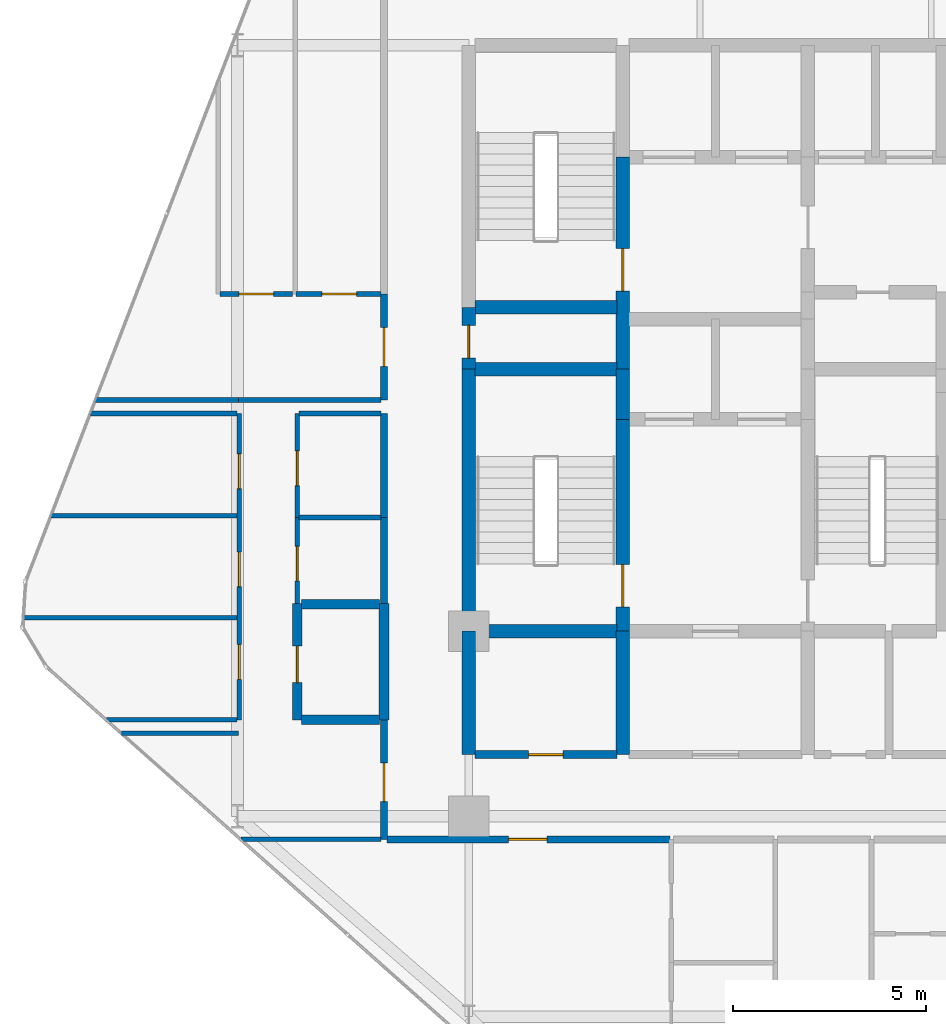
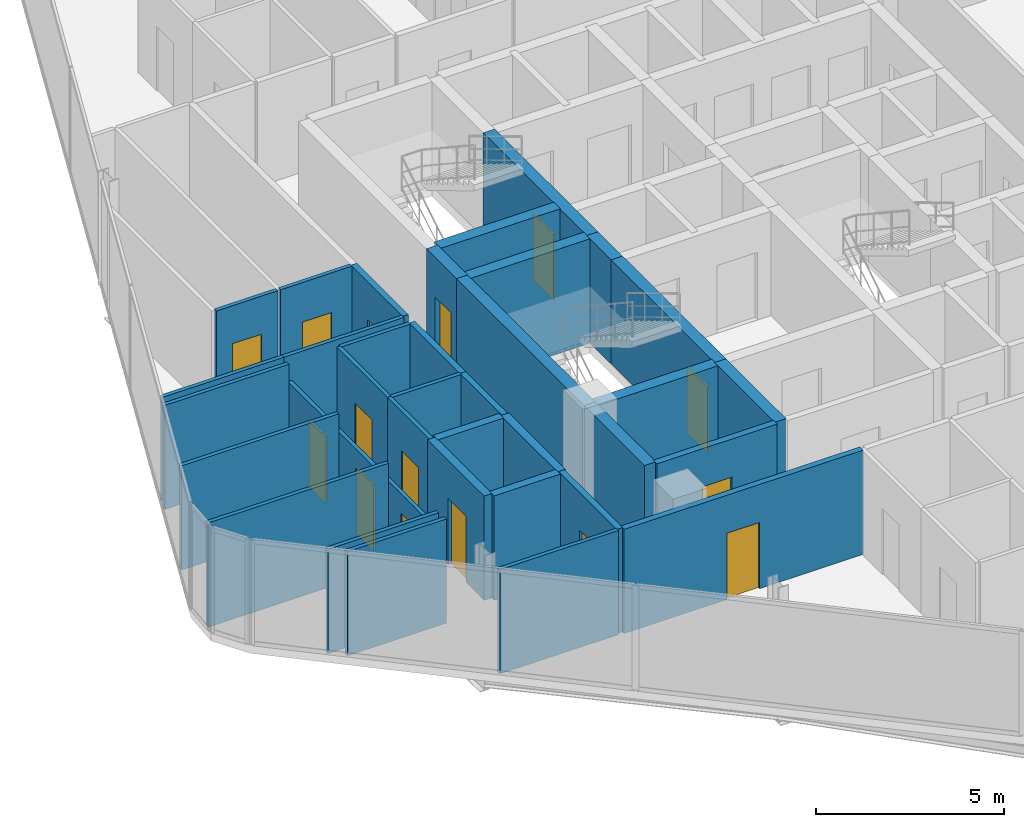
# One storey, part 23 of 29: 35 walls, 15 doors, 15 openings.
"""IFC4 building model written with IfcOpenShell, lengths in metres."""

from ifc_helpers import new_model, si_unit, direction, frame, frame_2d, origin, place, context, subcontext, project, spatial, rectangle, extrude, material, layer, layer_set, type_object, element, fill, save


model = new_model("IFC4")

# Units and contexts
model_context = context("Model", 3, precision=1e-05, world=origin(), true_north=direction((0.0, 1.0)))
body_context = subcontext(model_context, "Body", "Model", "MODEL_VIEW")
ifc_project = project(units=[si_unit("LENGTHUNIT", "METRE"), si_unit("AREAUNIT", "SQUARE_METRE"), si_unit("VOLUMEUNIT", "CUBIC_METRE"), si_unit("PLANEANGLEUNIT", "RADIAN"), si_unit("MASSUNIT", "GRAM", prefix="KILO")], contexts=[model_context])

# Site, building, storey
site_placement = place(None, origin())
site = spatial("IfcSite", under=ifc_project, at=site_placement, CompositionType="ELEMENT")
building_placement = place(site_placement, origin())
building = spatial("IfcBuilding", under=site, at=building_placement, Name="Keshet Zoharim Tower", CompositionType="ELEMENT")
storey_placement = place(building_placement, frame((0.0, 0.0, 98.300048828125)))
storey = spatial("IfcBuildingStorey", under=building, at=storey_placement, Name="L23", CompositionType="ELEMENT", Elevation=98.300048828125)

# Walls
ifc_material_1 = material(Name="Concrete C60/75", Category="concrete")
ifc_layer_1 = layer(ifc_material_1, 0.35009765625)
ifc_layer_set_1 = layer_set([ifc_layer_1], Name="Concrete C60/75")
wall_type_1 = type_object("IfcWallType", Name="WL-CORE-350", PredefinedType="SHEAR", material=ifc_layer_set_1)
wall_1_placement = place(storey_placement, frame((15.0, 19.5, 0.0), z_axis=(0.0, 0.0, 1.0), x_axis=(0.0, 1.0, 0.0)))
element("IfcWall", 1, at=wall_1_placement, inside=storey, type_object=wall_type_1, Name="L23 Core Shear Wall 015", PredefinedType="SHEAR", context=body_context, shape_type="SweptSolid", body=[
    extrude(rectangle(XDim=3.199951171875, YDim=0.35009765625, at=frame_2d((1.60009765625, 0.0))), origin(), (0.0, 0.0, 1.0), 3.385009765625),
])
wall_2_placement = place(storey_placement, frame((15.0, 22.699951171875, 0.0), z_axis=(0.0, 0.0, 1.0), x_axis=(0.0, 1.0, 0.0)))
element("IfcWall", 2, at=wall_2_placement, inside=storey, type_object=wall_type_1, Name="L23 Core Shear Wall 016", PredefinedType="SHEAR", context=body_context, shape_type="SweptSolid", body=[
    extrude(rectangle(XDim=6.800048828125, YDim=0.35009765625, at=frame_2d((3.39990234375, 0.0))), origin(), (0.0, 0.0, 1.0), 3.385009765625),
])

# Wall, opening, door
wall_3_placement = place(storey_placement, frame((15.0, 29.5, 0.0), z_axis=(0.0, 0.0, 1.0), x_axis=(0.0, 1.0, 0.0)))
wall_3 = element("IfcWall", 3, at=wall_3_placement, inside=storey, type_object=wall_type_1, Name="L23 Core Shear Wall 017", PredefinedType="SHEAR", context=body_context, shape_type="SweptSolid", body=[
    extrude(rectangle(XDim=1.60009765625, YDim=0.35009765625, at=frame_2d((0.800048828125, 0.0))), origin(), (0.0, 0.0, 1.0), 3.385009765625),
])
opening_1_placement = place(wall_3_placement, frame((0.287109375, 0.0, 0.0)))
opening_1 = element("IfcOpeningElement", 4, at=opening_1_placement, cuts=wall_3, Name="Opening D-RS85", PredefinedType="OPENING", context=body_context, shape_type="SweptSolid", body=[
    extrude(rectangle(XDim=0.85009765625, YDim=2.10009765625, at=frame_2d((0.425048828125, 1.050048828125))), frame((0.0, 0.18505859375, 0.0), z_axis=(0.0, -1.0, 0.0), x_axis=(1.0, 0.0, 0.0)), (0.0, 0.0, 1.0), 0.3701171875),
])
ifc_material_2 = material(Name="Hardwood Timber", Category="wood")
door_type_1 = type_object("IfcDoorType", Name="DR-RIS-085", OperationType="NOTDEFINED", PredefinedType="DOOR", material=ifc_material_2)
door_1_placement = place(opening_1_placement, origin())
door_1 = element("IfcDoor", 5, at=door_1_placement, inside=storey, type_object=door_type_1, Name="L23 Electrical Riser Access Cupboard Door", OperationType="SINGLE_SWING_LEFT", OverallHeight=2.10009765625, OverallWidth=0.85009765625, PredefinedType="DOOR", context=body_context, shape_type="SweptSolid", body=[
    extrude(rectangle(XDim=0.85009765625, YDim=2.10009765625, at=frame_2d((0.425048828125, 1.050048828125))), frame((0.0, 0.02490234375, 0.0), z_axis=(0.0, -1.0, 0.0), x_axis=(1.0, 0.0, 0.0)), (0.0, 0.0, 1.0), 0.050048828125),
])
fill(opening_1, door_1)

# Wall
wall_4_placement = place(storey_placement, frame((19.0, 19.5, 0.0), z_axis=(0.0, 0.0, 1.0), x_axis=(0.0, 1.0, 0.0)))
element("IfcWall", 6, at=wall_4_placement, inside=storey, type_object=wall_type_1, Name="L23 Core Shear Wall 021", PredefinedType="SHEAR", context=body_context, shape_type="SweptSolid", body=[
    extrude(rectangle(XDim=3.199951171875, YDim=0.35009765625, at=frame_2d((1.60009765625, 0.0))), origin(), (0.0, 0.0, 1.0), 3.385009765625),
])

# Wall, opening, door
wall_5_placement = place(storey_placement, frame((19.0, 22.699951171875, 0.0), z_axis=(0.0, 0.0, 1.0), x_axis=(0.0, 1.0, 0.0)))
wall_5 = element("IfcWall", 7, at=wall_5_placement, inside=storey, type_object=wall_type_1, Name="L23 Core Shear Wall 022", PredefinedType="SHEAR", context=body_context, shape_type="SweptSolid", body=[
    extrude(rectangle(XDim=5.5, YDim=0.35009765625, at=frame_2d((2.75, 0.0))), origin(), (0.0, 0.0, 1.0), 3.385009765625),
])
opening_2_placement = place(wall_5_placement, frame((0.631103515625, 0.0, 0.0)))
opening_2 = element("IfcOpeningElement", 8, at=opening_2_placement, cuts=wall_5, Name="Opening D-F611", PredefinedType="OPENING", context=body_context, shape_type="SweptSolid", body=[
    extrude(rectangle(XDim=1.10009765625, YDim=2.14990234375, at=frame_2d((0.550048828125, 1.074951171875))), frame((0.0, 0.18505859375, 0.0), z_axis=(0.0, -1.0, 0.0), x_axis=(1.0, 0.0, 0.0)), (0.0, 0.0, 1.0), 0.3701171875),
])
door_type_2 = type_object("IfcDoorType", Name="DR-FD60-110", OperationType="NOTDEFINED", PredefinedType="DOOR", material=ifc_material_2)
door_2_placement = place(opening_2_placement, origin())
door_2 = element("IfcDoor", 9, at=door_2_placement, inside=storey, type_object=door_type_2, Name="L23 Exit Stair ST-01 Fire Door", OperationType="SINGLE_SWING_RIGHT", OverallHeight=2.14990234375, OverallWidth=1.10009765625, PredefinedType="DOOR", context=body_context, shape_type="SweptSolid", body=[
    extrude(rectangle(XDim=1.10009765625, YDim=2.14990234375, at=frame_2d((0.550048828125, 1.074951171875))), frame((0.0, 0.02490234375, 0.0), z_axis=(0.0, -1.0, 0.0), x_axis=(1.0, 0.0, 0.0)), (0.0, 0.0, 1.0), 0.050048828125),
])
fill(opening_2, door_2)

# Wall
wall_6_placement = place(storey_placement, frame((19.0, 28.199951171875, 0.0), z_axis=(0.0, 0.0, 1.0), x_axis=(0.0, 1.0, 0.0)))
element("IfcWall", 10, at=wall_6_placement, inside=storey, type_object=wall_type_1, Name="L23 Core Shear Wall 023", PredefinedType="SHEAR", context=body_context, shape_type="SweptSolid", body=[
    extrude(rectangle(XDim=1.300048828125, YDim=0.35009765625, at=frame_2d((0.64990234375, 0.0))), origin(), (0.0, 0.0, 1.0), 3.385009765625),
])

# Wall, opening, door
wall_7_placement = place(storey_placement, frame((19.0, 29.5, 0.0), z_axis=(0.0, 0.0, 1.0), x_axis=(0.0, 1.0, 0.0)))
wall_7 = element("IfcWall", 11, at=wall_7_placement, inside=storey, type_object=wall_type_1, Name="L23 Core Shear Wall 024", PredefinedType="SHEAR", context=body_context, shape_type="SweptSolid", body=[
    extrude(rectangle(XDim=5.5, YDim=0.35009765625, at=frame_2d((2.75, 0.0))), origin(), (0.0, 0.0, 1.0), 3.385009765625),
])
opening_3_placement = place(wall_7_placement, frame((2.02490234375, 0.0, 0.0)))
opening_3 = element("IfcOpeningElement", 12, at=opening_3_placement, cuts=wall_7, Name="Opening D-F611", PredefinedType="OPENING", context=body_context, shape_type="SweptSolid", body=[
    extrude(rectangle(XDim=1.10009765625, YDim=2.14990234375, at=frame_2d((0.550048828125, 1.074951171875))), frame((0.0, 0.18505859375, 0.0), z_axis=(0.0, -1.0, 0.0), x_axis=(1.0, 0.0, 0.0)), (0.0, 0.0, 1.0), 0.3701171875),
])
door_3_placement = place(opening_3_placement, origin())
door_3 = element("IfcDoor", 13, at=door_3_placement, inside=storey, type_object=door_type_2, Name="L23 Exit Stair ST-02 Fire Door", OperationType="SINGLE_SWING_LEFT", OverallHeight=2.14990234375, OverallWidth=1.10009765625, PredefinedType="DOOR", context=body_context, shape_type="SweptSolid", body=[
    extrude(rectangle(XDim=1.10009765625, YDim=2.14990234375, at=frame_2d((0.550048828125, 1.074951171875))), frame((0.0, 0.02490234375, 0.0), z_axis=(0.0, -1.0, 0.0), x_axis=(1.0, 0.0, 0.0)), (0.0, 0.0, 1.0), 0.050048828125),
])
fill(opening_3, door_3)

# Walls
for number, where, z_axis, x_axis, name in (
    (14, (15.159912109375, 22.699951171875, 0.0), (0.0, 0.0, 1.0), (1.0, 0.0, 0.0), "L23 Core Shear Wall 150"),
    (15, (15.159912109375, 29.5, 0.0), (0.0, 0.0, 1.0), (1.0, 0.0, 0.0), "L23 Core Shear Wall 168"),
    (16, (15.159912109375, 31.10009765625, 0.0), (0.0, 0.0, 1.0), (1.0, 0.0, 0.0), "L23 Core Shear Wall 171"),
):
    element("IfcWall", number, at=place(storey_placement, frame(where, z_axis=z_axis, x_axis=x_axis)), inside=storey, type_object=wall_type_1, Name=name, PredefinedType="SHEAR", context=body_context, shape_type="SweptSolid", body=[
        extrude(rectangle(XDim=3.68017578125, YDim=0.35009765625, at=frame_2d((1.840087890625, 0.0))), origin(), (0.0, 0.0, 1.0), 3.385009765625),
    ])

# Wall, opening, door
ifc_material_3 = material(Name="Gypsum Plasterboard", Category="gypsum")
ifc_layer_2 = layer(ifc_material_3, 0.179931640625)
ifc_layer_set_2 = layer_set([ifc_layer_2], Name="Gypsum Plasterboard")
wall_type_2 = type_object("IfcWallType", Name="WL-CORR-180", PredefinedType="STANDARD", material=ifc_layer_set_2)
wall_8_placement = place(storey_placement, frame((12.800048828125, 17.300048828125, 0.0), z_axis=(0.0, 0.0, 1.0), x_axis=(0.0, 1.0, 0.0)))
wall_8 = element("IfcWall", 17, at=wall_8_placement, inside=storey, type_object=wall_type_2, Name="L23 Interior Wall 007", PredefinedType="STANDARD", context=body_context, shape_type="SweptSolid", body=[
    extrude(rectangle(XDim=3.099853515625, YDim=0.179931640625, at=frame_2d((1.5498046875, 0.0))), origin(), (0.0, 0.0, 1.0), 3.385009765625),
])
opening_4_placement = place(wall_8_placement, frame((0.97802734375, 0.0, 0.0)))
opening_4 = element("IfcOpeningElement", 18, at=opening_4_placement, cuts=wall_8, Name="Opening D-F310", PredefinedType="OPENING", context=body_context, shape_type="SweptSolid", body=[
    extrude(rectangle(XDim=1.0, YDim=2.14990234375, at=frame_2d((0.5, 1.074951171875))), frame((0.0, 0.10009765625, 0.0), z_axis=(0.0, -1.0, 0.0), x_axis=(1.0, 0.0, 0.0)), (0.0, 0.0, 1.0), 0.199951171875),
])
door_type_3 = type_object("IfcDoorType", Name="DR-FD30-100", OperationType="NOTDEFINED", PredefinedType="DOOR", material=ifc_material_2)
door_4_placement = place(opening_4_placement, origin())
door_4 = element("IfcDoor", 19, at=door_4_placement, inside=storey, type_object=door_type_3, Name="Apartment 2308 Entrance Door", OperationType="SINGLE_SWING_LEFT", OverallHeight=2.14990234375, OverallWidth=1.0, PredefinedType="DOOR", context=body_context, shape_type="SweptSolid", body=[
    extrude(rectangle(XDim=1.0, YDim=2.14990234375, at=frame_2d((0.5, 1.074951171875))), frame((0.0, 0.02490234375, 0.0), z_axis=(0.0, -1.0, 0.0), x_axis=(1.0, 0.0, 0.0)), (0.0, 0.0, 1.0), 0.050048828125),
])
fill(opening_4, door_4)

# Walls
wall_9_placement = place(storey_placement, frame((12.800048828125, 23.4208984375, 0.0), z_axis=(0.0, 0.0, 1.0), x_axis=(0.0, 1.0, 0.0)))
element("IfcWall", 20, at=wall_9_placement, inside=storey, type_object=wall_type_2, Name="L23 Interior Wall 009", PredefinedType="STANDARD", context=body_context, shape_type="SweptSolid", body=[
    extrude(rectangle(XDim=2.22607421875, YDim=0.179931640625, at=frame_2d((1.113037109375, 0.0))), origin(), (0.0, 0.0, 1.0), 3.385009765625),
])
wall_10_placement = place(storey_placement, frame((12.800048828125, 25.64697265625, 0.0), z_axis=(0.0, 0.0, 1.0), x_axis=(0.0, 1.0, 0.0)))
element("IfcWall", 21, at=wall_10_placement, inside=storey, type_object=wall_type_2, Name="L23 Interior Wall 010", PredefinedType="STANDARD", context=body_context, shape_type="SweptSolid", body=[
    extrude(rectangle(XDim=2.703125, YDim=0.179931640625, at=frame_2d((1.3515625, 0.0))), origin(), (0.0, 0.0, 1.0), 3.385009765625),
])

# Wall, opening, door
wall_11_placement = place(storey_placement, frame((12.800048828125, 28.699951171875, 0.0), z_axis=(0.0, 0.0, 1.0), x_axis=(0.0, 1.0, 0.0)))
wall_11 = element("IfcWall", 22, at=wall_11_placement, inside=storey, type_object=wall_type_2, Name="L23 Interior Wall 011", PredefinedType="STANDARD", context=body_context, shape_type="SweptSolid", body=[
    extrude(rectangle(XDim=2.75, YDim=0.179931640625, at=frame_2d((1.375, 0.0))), origin(), (0.0, 0.0, 1.0), 3.385009765625),
])
opening_5_placement = place(wall_11_placement, frame((0.875, 0.0, 0.0)))
opening_5 = element("IfcOpeningElement", 23, at=opening_5_placement, cuts=wall_11, Name="Opening D-F310", PredefinedType="OPENING", context=body_context, shape_type="SweptSolid", body=[
    extrude(rectangle(XDim=1.0, YDim=2.14990234375, at=frame_2d((0.5, 1.074951171875))), frame((0.0, 0.10009765625, 0.0), z_axis=(0.0, -1.0, 0.0), x_axis=(1.0, 0.0, 0.0)), (0.0, 0.0, 1.0), 0.199951171875),
])
door_5_placement = place(opening_5_placement, origin())
door_5 = element("IfcDoor", 24, at=door_5_placement, inside=storey, type_object=door_type_3, Name="Apartment 2309 Entrance Door", OperationType="SINGLE_SWING_RIGHT", OverallHeight=2.14990234375, OverallWidth=1.0, PredefinedType="DOOR", context=body_context, shape_type="SweptSolid", body=[
    extrude(rectangle(XDim=1.0, YDim=2.14990234375, at=frame_2d((0.5, 1.074951171875))), frame((0.0, 0.02490234375, 0.0), z_axis=(0.0, -1.0, 0.0), x_axis=(1.0, 0.0, 0.0)), (0.0, 0.0, 1.0), 0.050048828125),
])
fill(opening_5, door_5)

wall_12_placement = place(storey_placement, frame((12.875, 17.300048828125, 0.0), z_axis=(0.0, 0.0, 1.0), x_axis=(1.0, 0.0, 0.0)))
wall_12 = element("IfcWall", 25, at=wall_12_placement, inside=storey, type_object=wall_type_2, Name="L23 Interior Wall 129", PredefinedType="STANDARD", context=body_context, shape_type="SweptSolid", body=[
    extrude(rectangle(XDim=7.35009765625, YDim=0.179931640625, at=frame_2d((3.675048828125, 0.0))), origin(), (0.0, 0.0, 1.0), 3.385009765625),
])
opening_6_placement = place(wall_12_placement, frame((3.159912109375, 0.0, 0.0)))
opening_6 = element("IfcOpeningElement", 26, at=opening_6_placement, cuts=wall_12, Name="Opening D-F310", PredefinedType="OPENING", context=body_context, shape_type="SweptSolid", body=[
    extrude(rectangle(XDim=1.0, YDim=2.14990234375, at=frame_2d((0.5, 1.074951171875))), frame((0.0, 0.10009765625, 0.0), z_axis=(0.0, -1.0, 0.0), x_axis=(1.0, 0.0, 0.0)), (0.0, 0.0, 1.0), 0.199951171875),
])
door_6_placement = place(opening_6_placement, origin())
door_6 = element("IfcDoor", 27, at=door_6_placement, inside=storey, type_object=door_type_3, Name="Apartment 2301 Entrance Door", OperationType="SINGLE_SWING_RIGHT", OverallHeight=2.14990234375, OverallWidth=1.0, PredefinedType="DOOR", context=body_context, shape_type="SweptSolid", body=[
    extrude(rectangle(XDim=1.0, YDim=2.14990234375, at=frame_2d((0.5, 1.074951171875))), frame((0.0, 0.02490234375, 0.0), z_axis=(0.0, -1.0, 0.0), x_axis=(1.0, 0.0, 0.0)), (0.0, 0.0, 1.0), 0.050048828125),
])
fill(opening_6, door_6)

ifc_material_4 = material(Name="Concrete C50/60", Category="concrete")
ifc_layer_3 = layer(ifc_material_4, 0.199951171875)
ifc_layer_set_3 = layer_set([ifc_layer_3], Name="Concrete C50/60")
wall_type_3 = type_object("IfcWallType", Name="WL-FIRE-200", PredefinedType="STANDARD", material=ifc_layer_set_3)
wall_13_placement = place(storey_placement, frame((15.159912109375, 19.5, 0.0), z_axis=(0.0, 0.0, 1.0), x_axis=(1.0, 0.0, 0.0)))
wall_13 = element("IfcWall", 28, at=wall_13_placement, inside=storey, type_object=wall_type_3, Name="L23 Interior Wall 142", PredefinedType="STANDARD", context=body_context, shape_type="SweptSolid", body=[
    extrude(rectangle(XDim=3.68017578125, YDim=0.199951171875, at=frame_2d((1.840087890625, 0.0))), origin(), (0.0, 0.0, 1.0), 3.385009765625),
])
opening_7_placement = place(wall_13_placement, frame((1.389892578125, 0.0, 0.0)))
opening_7 = element("IfcOpeningElement", 29, at=opening_7_placement, cuts=wall_13, Name="Opening D-F690", PredefinedType="OPENING", context=body_context, shape_type="SweptSolid", body=[
    extrude(rectangle(XDim=0.89990234375, YDim=2.14990234375, at=frame_2d((0.449951171875, 1.074951171875))), frame((0.0, 0.10986328125, 0.0), z_axis=(0.0, -1.0, 0.0), x_axis=(1.0, 0.0, 0.0)), (0.0, 0.0, 1.0), 0.219970703125),
])
door_type_4 = type_object("IfcDoorType", Name="DR-FD60-090", OperationType="NOTDEFINED", PredefinedType="DOOR", material=ifc_material_2)
door_7_placement = place(opening_7_placement, origin())
door_7 = element("IfcDoor", 30, at=door_7_placement, inside=storey, type_object=door_type_4, Name="L23 Refuse Room Door", OperationType="SINGLE_SWING_LEFT", OverallHeight=2.14990234375, OverallWidth=0.89990234375, PredefinedType="DOOR", context=body_context, shape_type="SweptSolid", body=[
    extrude(rectangle(XDim=0.89990234375, YDim=2.14990234375, at=frame_2d((0.449951171875, 1.074951171875))), frame((0.0, 0.02490234375, 0.0), z_axis=(0.0, -1.0, 0.0), x_axis=(1.0, 0.0, 0.0)), (0.0, 0.0, 1.0), 0.050048828125),
])
fill(opening_7, door_7)

ifc_layer_4 = layer(ifc_material_4, 0.25)
ifc_layer_set_4 = layer_set([ifc_layer_4], Name="Concrete C50/60")
wall_type_4 = type_object("IfcWallType", Name="WL-MAMAD-250", PredefinedType="STANDARD", material=ifc_layer_set_4)
wall_14_placement = place(storey_placement, frame((10.550048828125, 20.39990234375, 0.0), z_axis=(0.0, 0.0, 1.0), x_axis=(0.0, 1.0, 0.0)))
wall_14 = element("IfcWall", 31, at=wall_14_placement, inside=storey, type_object=wall_type_4, Name="L23 Interior Wall 004", PredefinedType="STANDARD", context=body_context, shape_type="SweptSolid", body=[
    extrude(rectangle(XDim=3.02099609375, YDim=0.25, at=frame_2d((1.510498046875, 0.0))), origin(), (0.0, 0.0, 1.0), 3.385009765625),
])
opening_8_placement = place(wall_14_placement, frame((0.964111328125, 0.0, 0.0)))
opening_8 = element("IfcOpeningElement", 32, at=opening_8_placement, cuts=wall_14, Name="Opening D-F695", PredefinedType="OPENING", context=body_context, shape_type="SweptSolid", body=[
    extrude(rectangle(XDim=0.949951171875, YDim=2.14990234375, at=frame_2d((0.47509765625, 1.074951171875))), frame((0.0, 0.135009765625, 0.0), z_axis=(0.0, -1.0, 0.0), x_axis=(1.0, 0.0, 0.0)), (0.0, 0.0, 1.0), 0.27001953125),
])
door_type_5 = type_object("IfcDoorType", Name="DR-FD60-095", OperationType="NOTDEFINED", PredefinedType="DOOR", material=ifc_material_2)
door_8_placement = place(opening_8_placement, origin())
door_8 = element("IfcDoor", 33, at=door_8_placement, inside=storey, type_object=door_type_5, Name="Apartment 2308 Study and Shelter Room Door", OperationType="SINGLE_SWING_RIGHT", OverallHeight=2.14990234375, OverallWidth=0.949951171875, PredefinedType="DOOR", context=body_context, shape_type="SweptSolid", body=[
    extrude(rectangle(XDim=0.949951171875, YDim=2.14990234375, at=frame_2d((0.47509765625, 1.074951171875))), frame((0.0, 0.02490234375, 0.0), z_axis=(0.0, -1.0, 0.0), x_axis=(1.0, 0.0, 0.0)), (0.0, 0.0, 1.0), 0.050048828125),
])
fill(opening_8, door_8)

# Walls
wall_15_placement = place(storey_placement, frame((12.800048828125, 20.39990234375, 0.0), z_axis=(0.0, 0.0, 1.0), x_axis=(0.0, 1.0, 0.0)))
element("IfcWall", 34, at=wall_15_placement, inside=storey, type_object=wall_type_4, Name="L23 Interior Wall 008", PredefinedType="STANDARD", context=body_context, shape_type="SweptSolid", body=[
    extrude(rectangle(XDim=3.02099609375, YDim=0.25, at=frame_2d((1.510498046875, 0.0))), origin(), (0.0, 0.0, 1.0), 3.385009765625),
])
for number, where, z_axis, x_axis, name in (
    (35, (10.659912109375, 20.39990234375, 0.0), (0.0, 0.0, 1.0), (1.0, 0.0, 0.0), "L23 Interior Wall 149"),
    (36, (10.659912109375, 23.39990234375, 0.0), (0.0, 0.0, 1.0), (1.0, 0.0, 0.0), "L23 Interior Wall 156"),
):
    element("IfcWall", number, at=place(storey_placement, frame(where, z_axis=z_axis, x_axis=x_axis)), inside=storey, type_object=wall_type_4, Name=name, PredefinedType="STANDARD", context=body_context, shape_type="SweptSolid", body=[
        extrude(rectangle(XDim=2.030029296875, YDim=0.25, at=frame_2d((1.01513671875, 0.0))), origin(), (0.0, 0.0, 1.0), 3.385009765625),
    ])

# Wall, openings, doors
ifc_layer_5 = layer(ifc_material_3, 0.1201171875)
ifc_layer_set_5 = layer_set([ifc_layer_5], Name="Gypsum Plasterboard")
wall_type_5 = type_object("IfcWallType", Name="WL-PART-120", PredefinedType="PARTITIONING", material=ifc_layer_set_5)
wall_16_placement = place(storey_placement, frame((9.050048828125, 20.39990234375, 0.0), z_axis=(0.0, 0.0, 1.0), x_axis=(0.0, 1.0, 0.0)))
wall_16 = element("IfcWall", 37, at=wall_16_placement, inside=storey, type_object=wall_type_5, Name="L23 Interior Wall 002", PredefinedType="PARTITIONING", context=body_context, shape_type="SweptSolid", body=[
    extrude(rectangle(XDim=7.9501953125, YDim=0.1201171875, at=frame_2d((3.97509765625, 0.0))), origin(), (0.0, 0.0, 1.0), 2.784912109375),
])
opening_9_placement = place(wall_16_placement, frame((1.050048828125, 0.0, 0.0)))
opening_9 = element("IfcOpeningElement", 38, at=opening_9_placement, cuts=wall_16, Name="Opening D-IN90", PredefinedType="OPENING", context=body_context, shape_type="SweptSolid", body=[
    extrude(rectangle(XDim=0.89990234375, YDim=2.14990234375, at=frame_2d((0.449951171875, 1.074951171875))), frame((0.0, 0.070068359375, 0.0), z_axis=(0.0, -1.0, 0.0), x_axis=(1.0, 0.0, 0.0)), (0.0, 0.0, 1.0), 0.14013671875),
])
opening_10_placement = place(wall_16_placement, frame((3.455078125, 0.0, 0.0)))
opening_10 = element("IfcOpeningElement", 39, at=opening_10_placement, cuts=wall_16, Name="Opening D-IN90", PredefinedType="OPENING", context=body_context, shape_type="SweptSolid", body=[
    extrude(rectangle(XDim=0.89990234375, YDim=2.14990234375, at=frame_2d((0.449951171875, 1.074951171875))), frame((0.0, 0.070068359375, 0.0), z_axis=(0.0, -1.0, 0.0), x_axis=(1.0, 0.0, 0.0)), (0.0, 0.0, 1.0), 0.14013671875),
])
opening_11_placement = place(wall_16_placement, frame((6.0, 0.0, 0.0)))
opening_11 = element("IfcOpeningElement", 40, at=opening_11_placement, cuts=wall_16, Name="Opening D-IN90", PredefinedType="OPENING", context=body_context, shape_type="SweptSolid", body=[
    extrude(rectangle(XDim=0.89990234375, YDim=2.14990234375, at=frame_2d((0.449951171875, 1.074951171875))), frame((0.0, 0.070068359375, 0.0), z_axis=(0.0, -1.0, 0.0), x_axis=(1.0, 0.0, 0.0)), (0.0, 0.0, 1.0), 0.14013671875),
])
door_type_6 = type_object("IfcDoorType", Name="DR-INT-090", OperationType="NOTDEFINED", PredefinedType="DOOR", material=ifc_material_2)
door_9_placement = place(opening_9_placement, origin())
door_9 = element("IfcDoor", 41, at=door_9_placement, inside=storey, type_object=door_type_6, Name="Apartment 2308 Bedroom 1 Door", OperationType="SINGLE_SWING_LEFT", OverallHeight=2.14990234375, OverallWidth=0.89990234375, PredefinedType="DOOR", context=body_context, shape_type="SweptSolid", body=[
    extrude(rectangle(XDim=0.89990234375, YDim=2.14990234375, at=frame_2d((0.449951171875, 1.074951171875))), frame((0.0, 0.02490234375, 0.0), z_axis=(0.0, -1.0, 0.0), x_axis=(1.0, 0.0, 0.0)), (0.0, 0.0, 1.0), 0.050048828125),
])
fill(opening_9, door_9)
door_10_placement = place(opening_10_placement, origin())
door_10 = element("IfcDoor", 42, at=door_10_placement, inside=storey, type_object=door_type_6, Name="Apartment 2308 Bedroom 2 Door", OperationType="SINGLE_SWING_RIGHT", OverallHeight=2.14990234375, OverallWidth=0.89990234375, PredefinedType="DOOR", context=body_context, shape_type="SweptSolid", body=[
    extrude(rectangle(XDim=0.89990234375, YDim=2.14990234375, at=frame_2d((0.449951171875, 1.074951171875))), frame((0.0, 0.02490234375, 0.0), z_axis=(0.0, -1.0, 0.0), x_axis=(1.0, 0.0, 0.0)), (0.0, 0.0, 1.0), 0.050048828125),
])
fill(opening_10, door_10)
door_11_placement = place(opening_11_placement, origin())
door_11 = element("IfcDoor", 43, at=door_11_placement, inside=storey, type_object=door_type_6, Name="Apartment 2308 Bedroom 3 Door", OperationType="SINGLE_SWING_LEFT", OverallHeight=2.14990234375, OverallWidth=0.89990234375, PredefinedType="DOOR", context=body_context, shape_type="SweptSolid", body=[
    extrude(rectangle(XDim=0.89990234375, YDim=2.14990234375, at=frame_2d((0.449951171875, 1.074951171875))), frame((0.0, 0.02490234375, 0.0), z_axis=(0.0, -1.0, 0.0), x_axis=(1.0, 0.0, 0.0)), (0.0, 0.0, 1.0), 0.050048828125),
])
fill(opening_11, door_11)

# Wall, opening, door
wall_17_placement = place(storey_placement, frame((10.550048828125, 25.64697265625, 0.0), z_axis=(0.0, 0.0, 1.0), x_axis=(0.0, 1.0, 0.0)))
wall_17 = element("IfcWall", 44, at=wall_17_placement, inside=storey, type_object=wall_type_5, Name="L23 Interior Wall 006", PredefinedType="PARTITIONING", context=body_context, shape_type="SweptSolid", body=[
    extrude(rectangle(XDim=2.703125, YDim=0.1201171875, at=frame_2d((1.3515625, 0.0))), origin(), (0.0, 0.0, 1.0), 3.385009765625),
])
opening_12_placement = place(wall_17_placement, frame((0.830078125, 0.0, 0.0)))
opening_12 = element("IfcOpeningElement", 45, at=opening_12_placement, cuts=wall_17, Name="Opening D-IN90", PredefinedType="OPENING", context=body_context, shape_type="SweptSolid", body=[
    extrude(rectangle(XDim=0.89990234375, YDim=2.14990234375, at=frame_2d((0.449951171875, 1.074951171875))), frame((0.0, 0.070068359375, 0.0), z_axis=(0.0, -1.0, 0.0), x_axis=(1.0, 0.0, 0.0)), (0.0, 0.0, 1.0), 0.14013671875),
])
door_12_placement = place(opening_12_placement, origin())
door_12 = element("IfcDoor", 46, at=door_12_placement, inside=storey, type_object=door_type_6, Name="Apartment 2308 Kitchen Door", OperationType="SINGLE_SWING_RIGHT", OverallHeight=2.14990234375, OverallWidth=0.89990234375, PredefinedType="DOOR", context=body_context, shape_type="SweptSolid", body=[
    extrude(rectangle(XDim=0.89990234375, YDim=2.14990234375, at=frame_2d((0.449951171875, 1.074951171875))), frame((0.0, 0.02490234375, 0.0), z_axis=(0.0, -1.0, 0.0), x_axis=(1.0, 0.0, 0.0)), (0.0, 0.0, 1.0), 0.050048828125),
])
fill(opening_12, door_12)

# Walls
wall_18_placement = place(storey_placement, frame((9.0849609375, 17.300048828125, 0.0), z_axis=(0.0, 0.0, 1.0), x_axis=(1.0, 0.0, 0.0)))
element("IfcWall", 47, at=wall_18_placement, inside=storey, type_object=wall_type_5, Name="L23 Interior Wall 128", PredefinedType="PARTITIONING", context=body_context, shape_type="SweptSolid", body=[
    extrude(rectangle(XDim=3.64013671875, YDim=0.1201171875, at=frame_2d((1.820068359375, 0.0))), origin(), (0.0, 0.0, 1.0), 3.385009765625),
])
wall_19_placement = place(storey_placement, frame((5.990966796875, 20.050048828125, 0.0), z_axis=(0.0, 0.0, 1.0), x_axis=(1.0, 0.0, 0.0)))
element("IfcWall", 48, at=wall_19_placement, inside=storey, type_object=wall_type_5, Name="L23 Interior Wall 147", PredefinedType="PARTITIONING", context=body_context, shape_type="SweptSolid", body=[
    extrude(rectangle(XDim=3.0390625, YDim=0.1201171875, at=frame_2d((1.51953125, 0.0))), origin(), (0.0, 0.0, 1.0), 3.385009765625),
])
wall_20_placement = place(storey_placement, frame((5.596923828125, 20.39990234375, 0.0), z_axis=(0.0, 0.0, 1.0), x_axis=(1.0, 0.0, 0.0)))
element("IfcWall", 49, at=wall_20_placement, inside=storey, type_object=wall_type_5, Name="L23 Interior Wall 148", PredefinedType="PARTITIONING", context=body_context, shape_type="SweptSolid", body=[
    extrude(rectangle(XDim=3.38818359375, YDim=0.1201171875, at=frame_2d((1.694091796875, 0.0))), origin(), (0.0, 0.0, 1.0), 3.385009765625),
])
wall_21_placement = place(storey_placement, frame((3.446044921875, 23.050048828125, 0.0), z_axis=(0.0, 0.0, 1.0), x_axis=(1.0, 0.0, 0.0)))
element("IfcWall", 50, at=wall_21_placement, inside=storey, type_object=wall_type_5, Name="L23 Interior Wall 155", PredefinedType="PARTITIONING", context=body_context, shape_type="SweptSolid", body=[
    extrude(rectangle(XDim=5.5390625, YDim=0.1201171875, at=frame_2d((2.76953125, 0.0))), origin(), (0.0, 0.0, 1.0), 3.385009765625),
])
wall_22_placement = place(storey_placement, frame((4.1640625, 25.699951171875, 0.0), z_axis=(0.0, 0.0, 1.0), x_axis=(1.0, 0.0, 0.0)))
element("IfcWall", 51, at=wall_22_placement, inside=storey, type_object=wall_type_5, Name="L23 Interior Wall 159", PredefinedType="PARTITIONING", context=body_context, shape_type="SweptSolid", body=[
    extrude(rectangle(XDim=4.821044921875, YDim=0.1201171875, at=frame_2d((2.41064453125, 0.0))), origin(), (0.0, 0.0, 1.0), 3.385009765625),
])
wall_23_placement = place(storey_placement, frame((5.18310546875, 28.35009765625, 0.0), z_axis=(0.0, 0.0, 1.0), x_axis=(1.0, 0.0, 0.0)))
element("IfcWall", 52, at=wall_23_placement, inside=storey, type_object=wall_type_5, Name="L23 Interior Wall 163", PredefinedType="PARTITIONING", context=body_context, shape_type="SweptSolid", body=[
    extrude(rectangle(XDim=3.802001953125, YDim=0.1201171875, at=frame_2d((1.90087890625, 0.0))), origin(), (0.0, 0.0, 1.0), 3.385009765625),
])
wall_24_placement = place(storey_placement, frame((10.594970703125, 28.35009765625, 0.0), z_axis=(0.0, 0.0, 1.0), x_axis=(1.0, 0.0, 0.0)))
element("IfcWall", 53, at=wall_24_placement, inside=storey, type_object=wall_type_5, Name="L23 Interior Wall 164", PredefinedType="PARTITIONING", context=body_context, shape_type="SweptSolid", body=[
    extrude(rectangle(XDim=2.130126953125, YDim=0.1201171875, at=frame_2d((1.06494140625, 0.0))), origin(), (0.0, 0.0, 1.0), 3.385009765625),
])
wall_25_placement = place(storey_placement, frame((5.31689453125, 28.699951171875, 0.0), z_axis=(0.0, 0.0, 1.0), x_axis=(1.0, 0.0, 0.0)))
element("IfcWall", 54, at=wall_25_placement, inside=storey, type_object=wall_type_5, Name="L23 Interior Wall 165", PredefinedType="PARTITIONING", context=body_context, shape_type="SweptSolid", body=[
    extrude(rectangle(XDim=3.713134765625, YDim=0.1201171875, at=frame_2d((1.8564453125, 0.0))), origin(), (0.0, 0.0, 1.0), 3.385009765625),
])
wall_26_placement = place(storey_placement, frame((9.030029296875, 28.699951171875, 0.0), z_axis=(0.0, 0.0, 1.0), x_axis=(1.0, 0.0, 0.0)))
element("IfcWall", 55, at=wall_26_placement, inside=storey, type_object=wall_type_5, Name="L23 Interior Wall 166", PredefinedType="PARTITIONING", context=body_context, shape_type="SweptSolid", body=[
    extrude(rectangle(XDim=3.695068359375, YDim=0.1201171875, at=frame_2d((1.84765625, 0.0))), origin(), (0.0, 0.0, 1.0), 3.385009765625),
])

# Wall, opening, door
wall_27_placement = place(storey_placement, frame((8.544921875, 31.449951171875, 0.0), z_axis=(0.0, 0.0, 1.0), x_axis=(1.0, 0.0, 0.0)))
wall_27 = element("IfcWall", 56, at=wall_27_placement, inside=storey, type_object=wall_type_5, Name="L23 Interior Wall 172", PredefinedType="PARTITIONING", context=body_context, shape_type="SweptSolid", body=[
    extrude(rectangle(XDim=1.88818359375, YDim=0.1201171875, at=frame_2d((0.944091796875, 0.0))), origin(), (0.0, 0.0, 1.0), 3.385009765625),
])
opening_13_placement = place(wall_27_placement, frame((0.493896484375, 0.0, 0.0)))
opening_13 = element("IfcOpeningElement", 57, at=opening_13_placement, cuts=wall_27, Name="Opening D-IN90", PredefinedType="OPENING", context=body_context, shape_type="SweptSolid", body=[
    extrude(rectangle(XDim=0.89990234375, YDim=2.14990234375, at=frame_2d((0.449951171875, 1.074951171875))), frame((0.0, 0.070068359375, 0.0), z_axis=(0.0, -1.0, 0.0), x_axis=(1.0, 0.0, 0.0)), (0.0, 0.0, 1.0), 0.14013671875),
])
door_13_placement = place(opening_13_placement, origin())
door_13 = element("IfcDoor", 58, at=door_13_placement, inside=storey, type_object=door_type_6, Name="Apartment 2309 Kitchen Door", OperationType="SINGLE_SWING_LEFT", OverallHeight=2.14990234375, OverallWidth=0.89990234375, PredefinedType="DOOR", context=body_context, shape_type="SweptSolid", body=[
    extrude(rectangle(XDim=0.89990234375, YDim=2.14990234375, at=frame_2d((0.449951171875, 1.074951171875))), frame((0.0, 0.02490234375, 0.0), z_axis=(0.0, -1.0, 0.0), x_axis=(1.0, 0.0, 0.0)), (0.0, 0.0, 1.0), 0.050048828125),
])
fill(opening_13, door_13)

ifc_layer_6 = layer(ifc_material_3, 0.1201171875)
ifc_layer_set_6 = layer_set([ifc_layer_6], Name="Gypsum Plasterboard")
wall_type_6 = type_object("IfcWallType", Name="WL-WET-120", PredefinedType="PARTITIONING", material=ifc_layer_set_6)
wall_28_placement = place(storey_placement, frame((10.550048828125, 23.4208984375, 0.0), z_axis=(0.0, 0.0, 1.0), x_axis=(0.0, 1.0, 0.0)))
wall_28 = element("IfcWall", 59, at=wall_28_placement, inside=storey, type_object=wall_type_6, Name="L23 Interior Wall 005", PredefinedType="PARTITIONING", context=body_context, shape_type="SweptSolid", body=[
    extrude(rectangle(XDim=2.22607421875, YDim=0.1201171875, at=frame_2d((1.113037109375, 0.0))), origin(), (0.0, 0.0, 1.0), 3.385009765625),
])
opening_14_placement = place(wall_28_placement, frame((0.583984375, 0.0, 0.0)))
opening_14 = element("IfcOpeningElement", 60, at=opening_14_placement, cuts=wall_28, Name="Opening D-WT90", PredefinedType="OPENING", context=body_context, shape_type="SweptSolid", body=[
    extrude(rectangle(XDim=0.89990234375, YDim=2.10009765625, at=frame_2d((0.449951171875, 1.050048828125))), frame((0.0, 0.070068359375, 0.0), z_axis=(0.0, -1.0, 0.0), x_axis=(1.0, 0.0, 0.0)), (0.0, 0.0, 1.0), 0.14013671875),
])
door_type_7 = type_object("IfcDoorType", Name="DR-WET-090", OperationType="NOTDEFINED", PredefinedType="DOOR", material=ifc_material_2)
door_14_placement = place(opening_14_placement, origin())
door_14 = element("IfcDoor", 61, at=door_14_placement, inside=storey, type_object=door_type_7, Name="Apartment 2308 Bathroom Door", OperationType="SINGLE_SWING_LEFT", OverallHeight=2.10009765625, OverallWidth=0.89990234375, PredefinedType="DOOR", context=body_context, shape_type="SweptSolid", body=[
    extrude(rectangle(XDim=0.89990234375, YDim=2.10009765625, at=frame_2d((0.449951171875, 1.050048828125))), frame((0.0, 0.02490234375, 0.0), z_axis=(0.0, -1.0, 0.0), x_axis=(1.0, 0.0, 0.0)), (0.0, 0.0, 1.0), 0.050048828125),
])
fill(opening_14, door_14)

# Wall
wall_29_placement = place(storey_placement, frame((10.594970703125, 25.64990234375, 0.0), z_axis=(0.0, 0.0, 1.0), x_axis=(1.0, 0.0, 0.0)))
element("IfcWall", 62, at=wall_29_placement, inside=storey, type_object=wall_type_6, Name="L23 Interior Wall 158", PredefinedType="PARTITIONING", context=body_context, shape_type="SweptSolid", body=[
    extrude(rectangle(XDim=2.130126953125, YDim=0.1201171875, at=frame_2d((1.06494140625, 0.0))), origin(), (0.0, 0.0, 1.0), 3.385009765625),
])

# Wall, opening, door
wall_30_placement = place(storey_placement, frame((10.52294921875, 31.449951171875, 0.0), z_axis=(0.0, 0.0, 1.0), x_axis=(1.0, 0.0, 0.0)))
wall_30 = element("IfcWall", 63, at=wall_30_placement, inside=storey, type_object=wall_type_6, Name="L23 Interior Wall 173", PredefinedType="PARTITIONING", context=body_context, shape_type="SweptSolid", body=[
    extrude(rectangle(XDim=2.2021484375, YDim=0.1201171875, at=frame_2d((1.10107421875, 0.0))), origin(), (0.0, 0.0, 1.0), 3.385009765625),
])
opening_15_placement = place(wall_30_placement, frame((0.666015625, 0.0, 0.0)))
opening_15 = element("IfcOpeningElement", 64, at=opening_15_placement, cuts=wall_30, Name="Opening D-WT90", PredefinedType="OPENING", context=body_context, shape_type="SweptSolid", body=[
    extrude(rectangle(XDim=0.89990234375, YDim=2.10009765625, at=frame_2d((0.449951171875, 1.050048828125))), frame((0.0, 0.070068359375, 0.0), z_axis=(0.0, -1.0, 0.0), x_axis=(1.0, 0.0, 0.0)), (0.0, 0.0, 1.0), 0.14013671875),
])
door_15_placement = place(opening_15_placement, origin())
door_15 = element("IfcDoor", 65, at=door_15_placement, inside=storey, type_object=door_type_7, Name="Apartment 2309 Bathroom Door", OperationType="SINGLE_SWING_RIGHT", OverallHeight=2.10009765625, OverallWidth=0.89990234375, PredefinedType="DOOR", context=body_context, shape_type="SweptSolid", body=[
    extrude(rectangle(XDim=0.89990234375, YDim=2.10009765625, at=frame_2d((0.449951171875, 1.050048828125))), frame((0.0, 0.02490234375, 0.0), z_axis=(0.0, -1.0, 0.0), x_axis=(1.0, 0.0, 0.0)), (0.0, 0.0, 1.0), 0.050048828125),
])
fill(opening_15, door_15)

save(model, "model.ifc")
